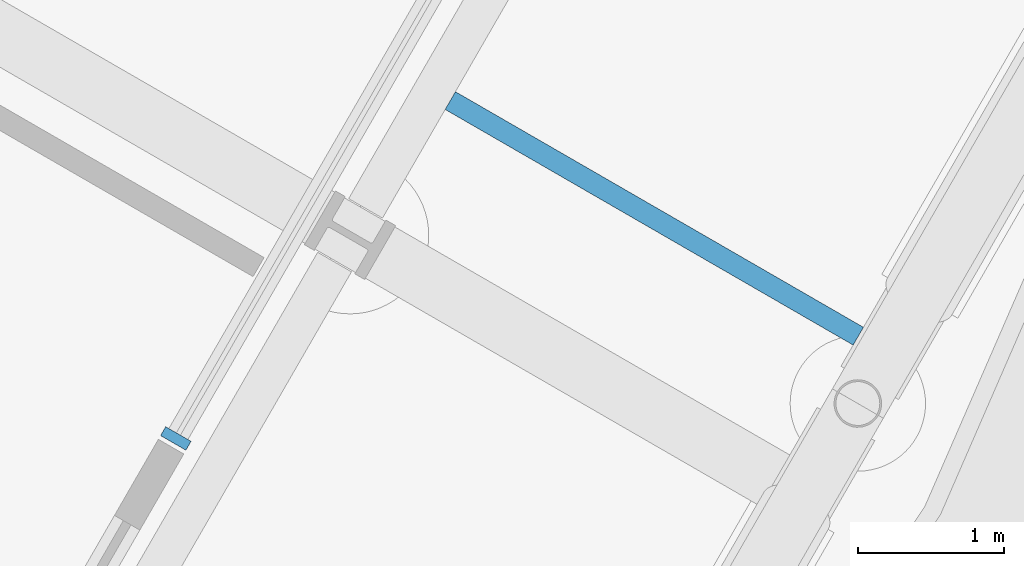
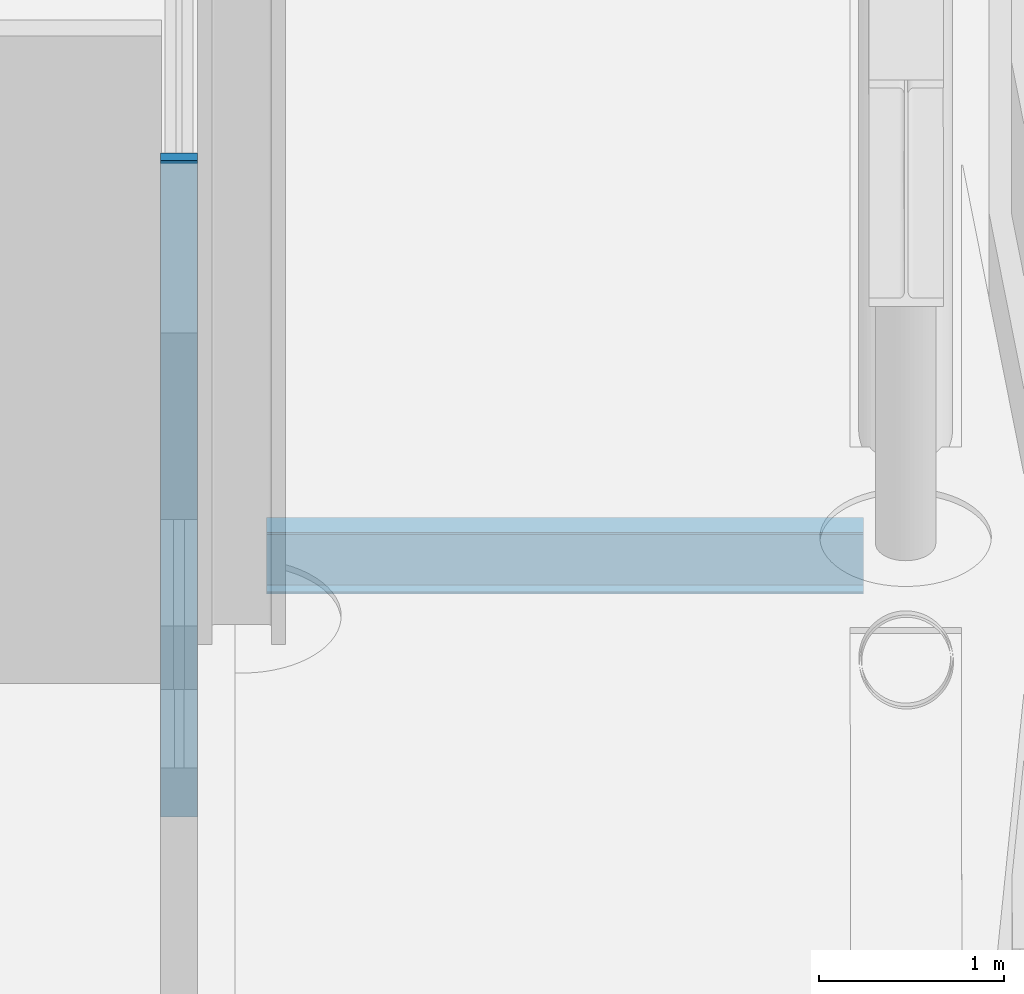
# One storey, part 9 of 26: 1 beam, 1 member, 1 element without a shape of its own.
"""IFC4 building model written with IfcOpenShell, lengths in metres."""

from ifc_helpers import new_model, si_unit, direction, frame, origin, origin_2d, place, context, subcontext, project, spatial, rectangle, i_section, extrude, material, material_profile, profile_set, type_object, element, aggregate, save


model = new_model("IFC4")

# Units and contexts
model_context = context("Model", 3, precision=1e-05, world=origin(), true_north=direction((0.0, 1.0)))
body_context = subcontext(model_context, "Body", "Model", "MODEL_VIEW")
ifc_project = project(units=[si_unit("LENGTHUNIT", "METRE"), si_unit("AREAUNIT", "SQUARE_METRE"), si_unit("VOLUMEUNIT", "CUBIC_METRE"), si_unit("PLANEANGLEUNIT", "RADIAN"), si_unit("MASSUNIT", "GRAM", prefix="KILO")], contexts=[model_context])

# Site, building, storey
site_placement = place(None, origin())
site = spatial("IfcSite", under=ifc_project, at=site_placement, CompositionType="ELEMENT")
building_placement = place(site_placement, origin())
building = spatial("IfcBuilding", under=site, at=building_placement, Name="Verrane Prism Tower", CompositionType="ELEMENT")
storey_placement = place(building_placement, frame((0.0, 0.0, 87.199951171875)))
storey = spatial("IfcBuildingStorey", under=building, at=storey_placement, Name="L20", CompositionType="ELEMENT", Elevation=87.199951171875)

# Beam
ifc_material_1 = material(Name="Steel A992", Category="steel")
ifc_material_profile_1 = material_profile(ifc_material_1, i_section(OverallWidth=0.140380859375, OverallDepth=0.40380859375, WebThickness=0.007080078125, FlangeThickness=0.01123046875, FilletRadius=0.01025390625, at=origin_2d()), Name="W16x31")
ifc_profile_set_1 = profile_set([ifc_material_profile_1], Name="Steel A992")
beam_type = type_object("IfcBeamType", Name="Floor beam W16x31", PredefinedType="BEAM", material=ifc_profile_set_1)
beam_placement = place(storey_placement, frame((23.0830078125, -2.89990234375, -0.36181640625), z_axis=(-0.866003733444, 0.500037532253, 0.0), x_axis=(-0.500037532253, -0.866003733444, 0.0)))
element("IfcBeam", 1, at=beam_placement, inside=storey, type_object=beam_type, Name="Floor beam L20", PredefinedType="BEAM", context=body_context, shape_type="SweptSolid", body=[
    extrude(i_section(OverallWidth=0.140380859375, OverallDepth=0.40380859375, WebThickness=0.007080078125, FlangeThickness=0.01123046875, FilletRadius=0.01025390625, at=origin_2d()), origin(), (0.0, 0.0, 1.0), 3.219482421875),
])

# Curtain wall, member
ifc_material_2 = material(Name="Aluminium framed insulated glazing", Category="aluminium")
curtain_wall_type = type_object("IfcCurtainWallType", Name="Curtain wall CW-A 8400 module", PredefinedType="NOTDEFINED", material=ifc_material_2)
curtain_wall_placement = place(storey_placement, origin())
curtain_wall = element("IfcCurtainWall", 2, at=curtain_wall_placement, inside=storey, type_object=curtain_wall_type, Name="Refuge lounge glazing south-east face L20 3", PredefinedType="NOTDEFINED")
ifc_material_3 = material(Name="Aluminium alloy 6063-T6", Category="aluminium")
ifc_material_profile_2 = material_profile(ifc_material_3, rectangle(XDim=0.199951171875, YDim=0.070068359375, at=origin_2d()), Name="Mullion 70x200 aluminium")
ifc_profile_set_2 = profile_set([ifc_material_profile_2], Name="Aluminium alloy 6063-T6")
member_type = type_object("IfcMemberType", Name="Mullion 70x200 aluminium", PredefinedType="MULLION", material=ifc_profile_set_2)
member_placement = place(storey_placement, frame((18.419189453125, -3.598876953125, 0.0), z_axis=(0.0, 0.0, 1.0), x_axis=(-0.86602655117, 0.499998012664, 0.0)))
member = element("IfcMember", 3, at=member_placement, type_object=member_type, Name="CW20.6.3 mullion 1", PredefinedType="MULLION", context=body_context, shape_type="SweptSolid", body=[
    extrude(rectangle(XDim=0.199951171875, YDim=0.070068359375, at=origin_2d()), origin(), (0.0, 0.0, 1.0), 4.322509765625),
])
aggregate(curtain_wall, [member])

save(model, "model.ifc")
